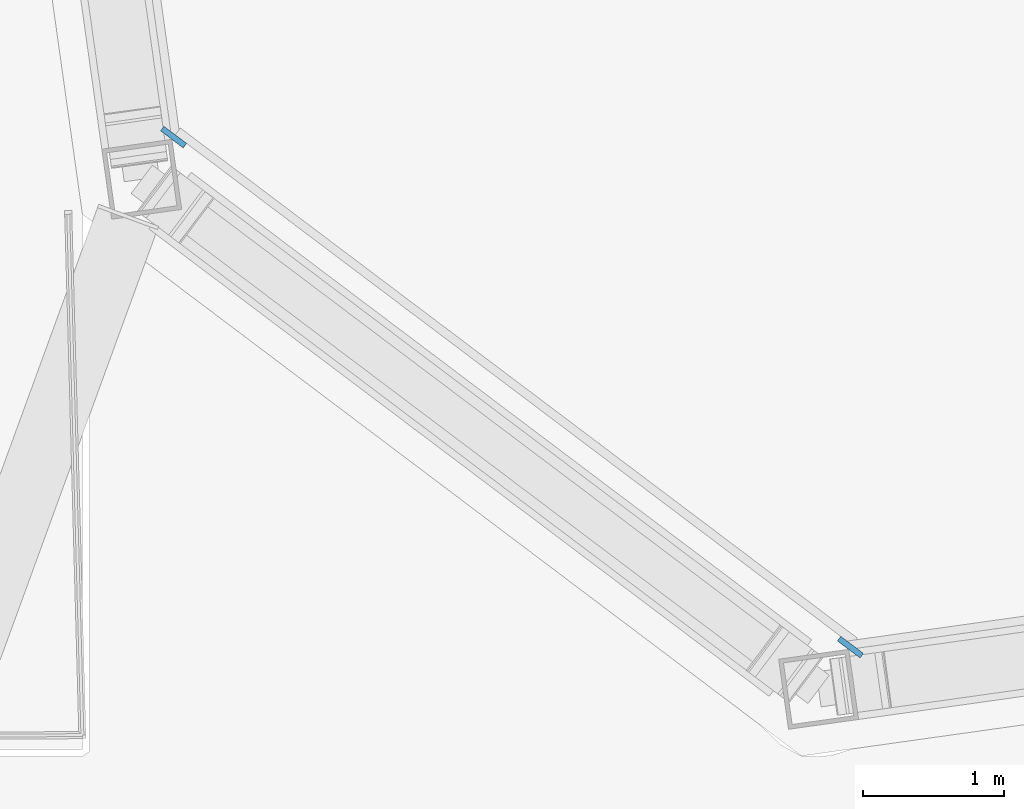
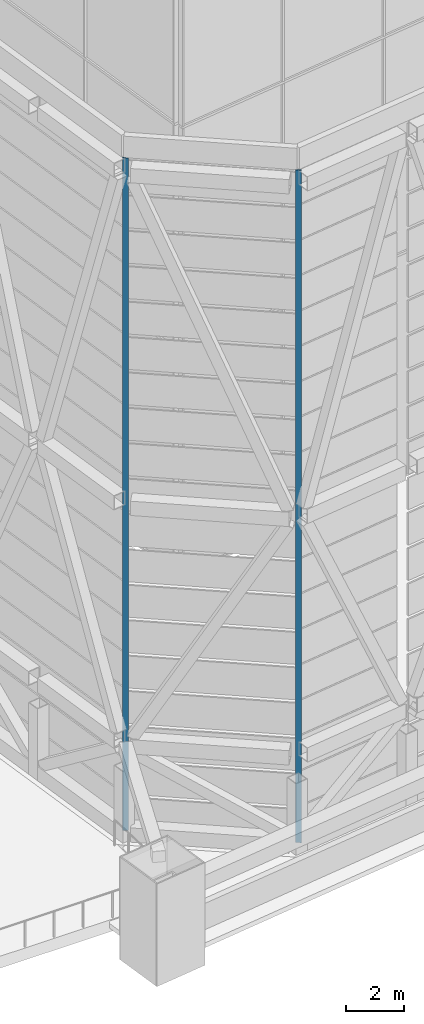
# One storey, part 26 of 45: 2 discrete accessories.
"""IFC4 building model written with IfcOpenShell, lengths in metres."""

from ifc_helpers import new_model, si_unit, direction, frame, origin, origin_2d, place, context, subcontext, project, spatial, rectangle, extrude, material, layer, layer_set, type_object, element, save


model = new_model("IFC4")

# Units and contexts
model_context = context("Model", 3, precision=1e-05, world=origin(), true_north=direction((0.0, 1.0)))
body_context = subcontext(model_context, "Body", "Model", "MODEL_VIEW")
ifc_project = project(units=[si_unit("LENGTHUNIT", "METRE"), si_unit("AREAUNIT", "SQUARE_METRE"), si_unit("VOLUMEUNIT", "CUBIC_METRE"), si_unit("PLANEANGLEUNIT", "RADIAN"), si_unit("MASSUNIT", "GRAM", prefix="KILO")], contexts=[model_context])

# Site, building, storey
site_placement = place(None, origin())
site = spatial("IfcSite", under=ifc_project, at=site_placement, CompositionType="ELEMENT")
building_placement = place(site_placement, origin())
building = spatial("IfcBuilding", under=site, at=building_placement, Name="Mirante Cascada Hotel Towers", CompositionType="ELEMENT")
storey_placement = place(building_placement, frame((0.0, 0.0, 269.8)))
storey = spatial("IfcBuildingStorey", under=building, at=storey_placement, Name="Roof garden", CompositionType="ELEMENT", Elevation=269.8)

# Discrete accessories
ifc_material = material(Name="Stainless steel AISI 316", Category="steel")
ifc_layer = layer(ifc_material, 0.04)
ifc_layer_set = layer_set([ifc_layer], Name="Support bracket 200x40")
discrete_accessory_type = type_object("IfcDiscreteAccessoryType", Name="Support bracket 200x40", PredefinedType="BRACKET", material=ifc_layer_set)
for number, where, z_axis, x_axis, name in (
    (1, (21.7166, -21.6297, 0.05), (0.0, 0.0, 1.0), (-0.7986355, 0.601815, 0.0), "Louvre support bracket T2"),
    (2, (16.9319, -18.0241, 0.05), (0.0, 0.0, 1.0), (-0.7986355, 0.601815, 0.0), "Louvre support bracket T2"),
):
    element("IfcDiscreteAccessory", number, at=place(storey_placement, frame(where, z_axis=z_axis, x_axis=x_axis)), inside=storey, type_object=discrete_accessory_type, Name=name, PredefinedType="BRACKET", context=body_context, shape_type="SweptSolid", body=[
        extrude(rectangle(XDim=0.2, YDim=0.04, at=origin_2d()), origin(), (0.0, 0.0, 1.0), 28.2),
    ])

save(model, "model.ifc")
